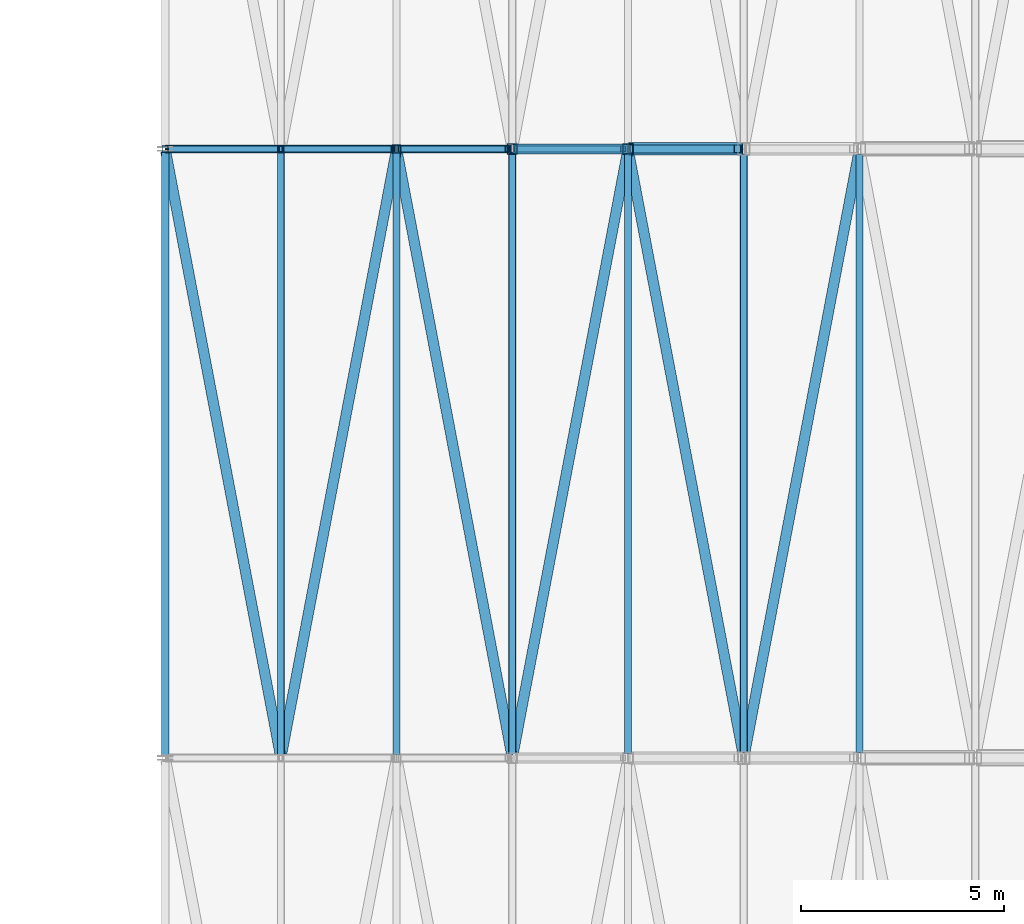
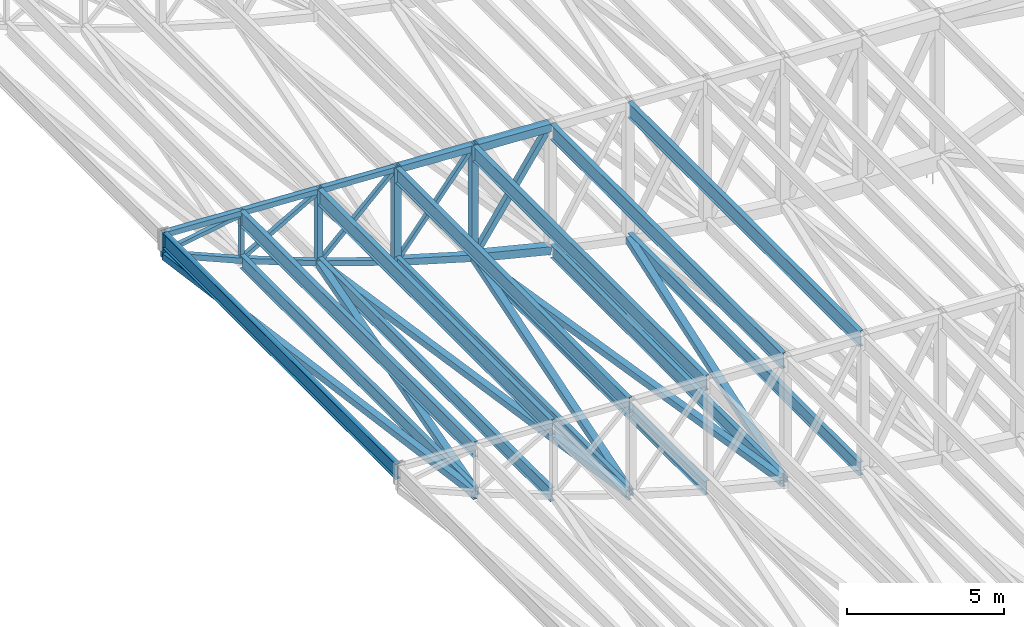
# One storey, part 94 of 278: 24 members, 15 beams.
"""IFC4 building model written with IfcOpenShell, lengths in metres."""

import ifcopenshell
import ifcopenshell.guid

model = None  # the IFC model being written
_history = None  # IfcOwnerHistory: only IFC2X3 demands one
_inside = {}  # id of a spatial element -> (the spatial element, [elements in it])
_under = {}  # id of a project, library or spatial element -> (it, [spatial elements below it])
_declared = {}  # id of a project -> (the project, [libraries it declares])
_typed = {}  # id of a type object -> (the type object, [elements of that type])
_made_of = {}  # id of a material, layer set ... -> (it, [elements and type objects made of it])


def new_model(schema):
    """Start an empty IFC model of exactly this schema.

    Asked for "IFC4X3", IfcOpenShell would pick the latest addendum, in which some entities
    have other attributes; the version numbers below select the first issue.
    IFC2X3 requires an IfcOwnerHistory on every rooted entity: one is made here for all.
    """
    global model, _history
    if schema == "IFC4X3":
        model = ifcopenshell.file(schema_version=(4, 3, 0, 0))
    else:
        model = ifcopenshell.file(schema=schema)
    _inside.clear()
    _under.clear()
    _declared.clear()
    _typed.clear()
    _made_of.clear()
    _history = None
    if model.schema == "IFC2X3":
        org = make("IfcOrganization", Name="unknown")
        user = make(
            "IfcPersonAndOrganization",
            ThePerson=make("IfcPerson", FamilyName="unknown"),
            TheOrganization=org,
        )
        app = make(
            "IfcApplication",
            ApplicationDeveloper=org,
            Version="unknown",
            ApplicationFullName="unknown",
            ApplicationIdentifier="unknown",
        )
        _history = make(
            "IfcOwnerHistory",
            OwningUser=user,
            OwningApplication=app,
            ChangeAction="ADDED",
            CreationDate=0,
        )
    return model


def make(cls, **values):
    """One entity of the class cls with the attributes given. An attribute that is None is left unset."""
    return model.create_entity(
        cls, **{name: value for name, value in values.items() if value is not None}
    )


def rooted(cls, **values):
    """An entity with a GlobalId (a new one), such as an element, a storey or a relation."""
    return make(cls, GlobalId=ifcopenshell.guid.new(), OwnerHistory=_history, **values)


def si_unit(unit_type, name, prefix=None):
    """IfcSIUnit, for example si_unit("LENGTHUNIT", "METRE", prefix="MILLI")."""
    return make("IfcSIUnit", UnitType=unit_type, Prefix=prefix, Name=name)


def assignment(units):
    """IfcUnitAssignment: the units of a project."""
    return None if units is None else make("IfcUnitAssignment", Units=units)


def point(xyz):
    """IfcCartesianPoint."""
    return None if xyz is None else make("IfcCartesianPoint", Coordinates=xyz)


def direction(xyz):
    """IfcDirection."""
    return None if xyz is None else make("IfcDirection", DirectionRatios=xyz)


def frame(location, z_axis=None, x_axis=None):
    """IfcAxis2Placement3D, a coordinate frame: its origin and axes. An axis left out is left unset."""
    return make(
        "IfcAxis2Placement3D",
        Location=point(location),
        Axis=direction(z_axis),
        RefDirection=direction(x_axis),
    )


def frame_2d(location, x_axis=None):
    """IfcAxis2Placement2D, a coordinate frame in the plane: its origin and x axis."""
    return make(
        "IfcAxis2Placement2D", Location=point(location), RefDirection=direction(x_axis)
    )


def origin():
    """The frame at (0, 0, 0) with its axes left unset."""
    return frame((0.0, 0.0, 0.0))


def origin_2d():
    """The frame at (0, 0) in the plane with its x axis left unset."""
    return frame_2d((0.0, 0.0))


def place(relative_to, where):
    """IfcLocalPlacement: puts the frame where relative to a parent placement (None: the world)."""
    return make(
        "IfcLocalPlacement", PlacementRelTo=relative_to, RelativePlacement=where
    )


def context(
    kind, dimensions, precision=None, world=None, true_north=None, identifier=None
):
    """IfcGeometricRepresentationContext, for example the 3D "Model" context."""
    return make(
        "IfcGeometricRepresentationContext",
        ContextIdentifier=identifier,
        ContextType=kind,
        CoordinateSpaceDimension=dimensions,
        Precision=precision,
        WorldCoordinateSystem=world,
        TrueNorth=true_north,
    )


def subcontext(parent, identifier, kind, view, scale=None):
    """IfcGeometricRepresentationSubContext, for example "Body" below "Model"."""
    return make(
        "IfcGeometricRepresentationSubContext",
        ContextIdentifier=identifier,
        ContextType=kind,
        ParentContext=parent,
        TargetScale=scale,
        TargetView=view,
    )


def project(units=None, contexts=None):
    """IfcProject with its units and contexts."""
    return rooted(
        "IfcProject",
        Name="project",
        RepresentationContexts=contexts,
        UnitsInContext=assignment(units),
    )


def spatial(cls, under=None, at=None, **own):
    """A site, building, storey or space (cls), placed at a placement, below another one or the project."""
    s = rooted(cls, ObjectPlacement=at, **own)
    if under is not None:
        _under.setdefault(under.id(), (under, []))[1].append(s)
    return s


def profile(cls, at=None, kind="AREA", **sizes):
    """A parametric profile (cls). Its sizes go by their IFC names, for example OverallWidth=200.0."""
    return make(cls, ProfileType=kind, Position=at, **sizes)


def hollow_rectangle(**sizes):
    """IfcRectangleHollowProfileDef."""
    return profile("IfcRectangleHollowProfileDef", **sizes)


def i_section(**sizes):
    """IfcIShapeProfileDef."""
    return profile("IfcIShapeProfileDef", **sizes)


def extrude(swept, where, along, depth):
    """IfcExtrudedAreaSolid: the profile swept, set in the frame where, extruded along a direction by depth."""
    return make(
        "IfcExtrudedAreaSolid",
        SweptArea=swept,
        Position=where,
        ExtrudedDirection=direction(along),
        Depth=depth,
    )


def shape(context_of_items, identifier, shape_type, items):
    """IfcShapeRepresentation: the items that make up one representation, for example the "Body"."""
    return make(
        "IfcShapeRepresentation",
        ContextOfItems=context_of_items,
        RepresentationIdentifier=identifier,
        RepresentationType=shape_type,
        Items=items,
    )


def material(Name=None, Category=None):
    """IfcMaterial."""
    return make("IfcMaterial", Name=Name, Category=Category)


def material_profile(
    of_material, cross_section, Name=None, Category=None, Priority=None
):
    """IfcMaterialProfile: a cross section and its material."""
    return make(
        "IfcMaterialProfile",
        Name=Name,
        Material=of_material,
        Profile=cross_section,
        Priority=Priority,
        Category=Category,
    )


def profile_set(profiles, Name=None, composite=None):
    """IfcMaterialProfileSet."""
    return make(
        "IfcMaterialProfileSet",
        Name=Name,
        MaterialProfiles=profiles,
        CompositeProfile=composite,
    )


def made_of(thing, what):
    """Note that an element or type object is made of a material, layer set ...; save() writes the relation."""
    if what is not None:
        _made_of.setdefault(what.id(), (what, []))[1].append(thing)
    return thing


def type_object(cls, material=None, **own):
    """A type object (cls), such as IfcWallType, which elements share."""
    return made_of(rooted(cls, **own), material)


def element(
    cls,
    number,
    at=None,
    inside=None,
    cuts=None,
    type_object=None,
    material=None,
    context=None,
    identifier="Body",
    shape_type=None,
    held_by="IfcProductDefinitionShape",
    body=None,
    shapes=None,
    **own,
):
    """One element of the class cls, such as IfcWall. Its Tag is "e" and its number.

    at: its placement. inside: the storey or other place that contains it. cuts: it is an
    opening in that element (IfcRelVoidsElement). A single representation is given by context,
    identifier, shape_type and body (its items); several are given by shapes. held_by: the class
    of the entity that holds the representations. save() writes the other relations.
    """
    e = rooted(cls, Tag="e%d" % number, ObjectPlacement=at, **own)
    if body is not None:
        shapes = [shape(context, identifier, shape_type, body)]
    if shapes is not None:
        e.Representation = make(held_by, Representations=shapes)
    if inside is not None:
        _inside.setdefault(inside.id(), (inside, []))[1].append(e)
    if cuts is not None:
        rooted(
            "IfcRelVoidsElement", RelatingBuildingElement=cuts, RelatedOpeningElement=e
        )
    if type_object is not None:
        _typed.setdefault(type_object.id(), (type_object, []))[1].append(e)
    return made_of(e, material)


def aggregate(whole, parts):
    """IfcRelAggregates: a whole, such as a stair, and the parts it consists of."""
    return rooted("IfcRelAggregates", RelatingObject=whole, RelatedObjects=parts)


def save(model, path):
    """Write the relations noted so far, then the file.

    IfcRelAggregates (storeys below a building ...), IfcRelContainedInSpatialStructure (elements
    in a storey), IfcRelDefinesByType, IfcRelAssociatesMaterial and IfcRelDeclares: one each for
    every whole, place, type object, material and project.
    """
    for whole, parts in _under.values():
        aggregate(whole, parts)
    for where, things in _inside.values():
        rooted(
            "IfcRelContainedInSpatialStructure",
            RelatedElements=things,
            RelatingStructure=where,
        )
    for kind, things in _typed.values():
        rooted("IfcRelDefinesByType", RelatedObjects=things, RelatingType=kind)
    for what, things in _made_of.values():
        rooted("IfcRelAssociatesMaterial", RelatedObjects=things, RelatingMaterial=what)
    for by, libraries in _declared.values():
        rooted("IfcRelDeclares", RelatingContext=by, RelatedDefinitions=libraries)
    model.write(path)


model = new_model("IFC4")

# Units and contexts
model_context = context("Model", 3, precision=1e-05, world=origin(), true_north=direction((0.0, 1.0)))
body_context = subcontext(model_context, "Body", "Model", "MODEL_VIEW")
ifc_project = project(units=[si_unit("LENGTHUNIT", "METRE"), si_unit("AREAUNIT", "SQUARE_METRE"), si_unit("VOLUMEUNIT", "CUBIC_METRE"), si_unit("PLANEANGLEUNIT", "RADIAN"), si_unit("MASSUNIT", "GRAM", prefix="KILO")], contexts=[model_context])

# Site, building, storey
site_placement = place(None, origin())
site = spatial("IfcSite", under=ifc_project, at=site_placement, CompositionType="ELEMENT")
building_placement = place(site_placement, origin())
building = spatial("IfcBuilding", under=site, at=building_placement, Name="Ogive Plaza Stadium", CompositionType="ELEMENT")
storey_placement = place(building_placement, frame((0.0, 0.0, 29.0)))
storey = spatial("IfcBuildingStorey", under=building, at=storey_placement, Name="Roof", CompositionType="ELEMENT", Elevation=29.0)

# Members
ifc_material_1 = material(Name="Steel ASTM A500 Grade C", Category="steel")
ifc_material_profile_1 = material_profile(ifc_material_1, hollow_rectangle(XDim=0.25390625, YDim=0.25390625, WallThickness=0.0087890625, at=origin_2d()), Name="HSS10X10X3/8")
ifc_profile_set_1 = profile_set([ifc_material_profile_1], Name="Steel ASTM A500 Grade C")
member_type_1 = type_object("IfcMemberType", Name="Roof plan brace HSS10X10X3/8", PredefinedType="BRACE", material=ifc_profile_set_1)
member_1_placement = place(storey_placement, frame((45.513427734375, 37.4296875, 6.520751953125), z_axis=(0.1860644689, -0.979300227871, -0.079693645318), x_axis=(0.982424925297, 0.186658153196, 0.0)))
element("IfcMember", 1, at=member_1_placement, inside=storey, type_object=member_type_1, Name="ROOF BRACE B02 1", PredefinedType="BRACE", context=body_context, shape_type="SweptSolid", body=[
    extrude(hollow_rectangle(XDim=0.25390625, YDim=0.25390625, WallThickness=0.0087890625, at=origin_2d()), origin(), (0.0, 0.0, 1.0), 15.173583984375),
])
member_2_placement = place(storey_placement, frame((48.36328125, 22.5703125, 5.30078125), z_axis=(0.18619699352, 0.979917118172, -0.071366106221), x_axis=(-0.982422109195, 0.186672974385, 0.0)))
element("IfcMember", 2, at=member_2_placement, inside=storey, type_object=member_type_1, Name="ROOF BRACE B02 2", PredefinedType="BRACE", context=body_context, shape_type="SweptSolid", body=[
    extrude(hollow_rectangle(XDim=0.25390625, YDim=0.25390625, WallThickness=0.0087890625, at=origin_2d()), origin(), (0.0, 0.0, 1.0), 15.1376953125),
])
member_3_placement = place(storey_placement, frame((51.21826171875, 37.404052734375, 4.20751953125), z_axis=(0.186305134019, -0.980575459807, -0.061336487198), x_axis=(0.982425223956, 0.186656581279, 0.0)))
element("IfcMember", 3, at=member_3_placement, inside=storey, type_object=member_type_1, Name="ROOF BRACE B02 3", PredefinedType="BRACE", context=body_context, shape_type="SweptSolid", body=[
    extrude(hollow_rectangle(XDim=0.25390625, YDim=0.25390625, WallThickness=0.0087890625, at=origin_2d()), origin(), (0.0, 0.0, 1.0), 15.1015625),
])
member_4_placement = place(storey_placement, frame((54.068115234375, 22.595947265625, 3.27001953125), z_axis=(0.186406461707, 0.981044003163, -0.052965034622), x_axis=(-0.982422964001, 0.186668475654, 0.0)))
element("IfcMember", 4, at=member_4_placement, inside=storey, type_object=member_type_1, Name="ROOF BRACE B02 4", PredefinedType="BRACE", context=body_context, shape_type="SweptSolid", body=[
    extrude(hollow_rectangle(XDim=0.25390625, YDim=0.25390625, WallThickness=0.0087890625, at=origin_2d()), origin(), (0.0, 0.0, 1.0), 15.068359375),
])
member_5_placement = place(storey_placement, frame((56.923095703125, 37.378662109375, 2.459716796875), z_axis=(0.186461324063, -0.981373677857, -0.046237204039), x_axis=(0.982424391989, 0.186660960097, 0.0)))
element("IfcMember", 5, at=member_5_placement, inside=storey, type_object=member_type_1, Name="ROOF BRACE B02 5", PredefinedType="BRACE", context=body_context, shape_type="SweptSolid", body=[
    extrude(hollow_rectangle(XDim=0.25390625, YDim=0.25390625, WallThickness=0.0087890625, at=origin_2d()), origin(), (0.0, 0.0, 1.0), 15.011474609375),
])
member_6_placement = place(storey_placement, frame((59.77783203125, 22.646728515625, 1.753173828125), z_axis=(0.186534960176, 0.981781820104, -0.036182403809), x_axis=(-0.982425109661, 0.186657182843, 0.0)))
element("IfcMember", 6, at=member_6_placement, inside=storey, type_object=member_type_1, Name="ROOF BRACE B02 6", PredefinedType="BRACE", context=body_context, shape_type="SweptSolid", body=[
    extrude(hollow_rectangle(XDim=0.25390625, YDim=0.25390625, WallThickness=0.0087890625, at=origin_2d()), origin(), (0.0, 0.0, 1.0), 14.9794921875),
])
ifc_material_2 = material(Name="Steel ASTM A992 Grade 50", Category="steel")
ifc_material_profile_2 = material_profile(ifc_material_2, i_section(OverallWidth=0.1650390625, OverallDepth=0.524658203125, WebThickness=0.0087890625, FlangeThickness=0.011474609375, at=origin_2d()), Name="W21X44")
ifc_profile_set_2 = profile_set([ifc_material_profile_2], Name="Steel ASTM A992 Grade 50")
member_type_2 = type_object("IfcMemberType", Name="Roof plan strut W21X44", PredefinedType="STRUT", material=ifc_profile_set_2)
member_7_placement = place(storey_placement, frame((48.35009765625, 37.453857421875, 5.305908203125), z_axis=(0.0, -1.0, 0.0), x_axis=(1.0, 0.0, 0.0)))
element("IfcMember", 7, at=member_7_placement, inside=storey, type_object=member_type_2, Name="ROOF STRUT B02 1", PredefinedType="STRUT", context=body_context, shape_type="SweptSolid", body=[
    extrude(i_section(OverallWidth=0.1650390625, OverallDepth=0.524658203125, WebThickness=0.0087890625, FlangeThickness=0.011474609375, at=origin_2d()), origin(), (0.0, 0.0, 1.0), 14.90771484375),
])
for number, where, z_axis, x_axis, name in (
    (8, (51.199951171875, 37.428466796875, 4.213623046875), (0.0, -1.0, 0.0), (1.0, 0.0, 0.0), "ROOF STRUT B02 2"),
    (9, (54.050048828125, 37.428466796875, 3.275146484375), (0.0, -1.0, 0.0), (1.0, 0.0, 0.0), "ROOF STRUT B02 3"),
):
    element("IfcMember", number, at=place(storey_placement, frame(where, z_axis=z_axis, x_axis=x_axis)), inside=storey, type_object=member_type_2, Name=name, PredefinedType="STRUT", context=body_context, shape_type="SweptSolid", body=[
        extrude(i_section(OverallWidth=0.1650390625, OverallDepth=0.524658203125, WebThickness=0.0087890625, FlangeThickness=0.011474609375, at=origin_2d()), origin(), (0.0, 0.0, 1.0), 14.85693359375),
    ])
member_8_placement = place(storey_placement, frame((56.89990234375, 37.403076171875, 2.46533203125), z_axis=(0.0, -1.0, 0.0), x_axis=(1.0, 0.0, 0.0)))
element("IfcMember", 10, at=member_8_placement, inside=storey, type_object=member_type_2, Name="ROOF STRUT B02 4", PredefinedType="STRUT", context=body_context, shape_type="SweptSolid", body=[
    extrude(i_section(OverallWidth=0.1650390625, OverallDepth=0.524658203125, WebThickness=0.0087890625, FlangeThickness=0.011474609375, at=origin_2d()), origin(), (0.0, 0.0, 1.0), 14.80615234375),
])
for number, where, z_axis, x_axis, name in (
    (11, (59.75, 37.377685546875, 1.758544921875), (0.0, -1.0, 0.0), (1.0, 0.0, 0.0), "ROOF STRUT B02 5"),
    (12, (62.60009765625, 37.377685546875, 1.205810546875), (0.0, -1.0, 0.0), (1.0, 0.0, 0.0), "ROOF STRUT B02 6"),
):
    element("IfcMember", number, at=place(storey_placement, frame(where, z_axis=z_axis, x_axis=x_axis)), inside=storey, type_object=member_type_2, Name=name, PredefinedType="STRUT", context=body_context, shape_type="SweptSolid", body=[
        extrude(i_section(OverallWidth=0.1650390625, OverallDepth=0.524658203125, WebThickness=0.0087890625, FlangeThickness=0.011474609375, at=origin_2d()), origin(), (0.0, 0.0, 1.0), 14.75537109375),
    ])
ifc_material_3 = material(Name="Steel ASTM A992 Grade 50", Category="steel")
ifc_material_profile_3 = material_profile(ifc_material_3, i_section(OverallWidth=0.177978515625, OverallDepth=0.5986328125, WebThickness=0.010009765625, FlangeThickness=0.012939453125, at=origin_2d()), Name="W24X55")
ifc_profile_set_3 = profile_set([ifc_material_profile_3], Name="Steel ASTM A992 Grade 50")
member_type_3 = type_object("IfcMemberType", Name="Roof purlin W24X55", PredefinedType="PURLIN", material=ifc_profile_set_3)
member_9_placement = place(storey_placement, frame((48.35009765625, 37.453857421875, 6.983154296875), z_axis=(0.0, -1.0, 0.0), x_axis=(1.0, 0.0, 0.0)))
element("IfcMember", 13, at=member_9_placement, inside=storey, type_object=member_type_3, Name="ROOF PURLIN B02 1", PredefinedType="PURLIN", context=body_context, shape_type="SweptSolid", body=[
    extrude(i_section(OverallWidth=0.177978515625, OverallDepth=0.5986328125, WebThickness=0.010009765625, FlangeThickness=0.012939453125, at=origin_2d()), origin(), (0.0, 0.0, 1.0), 14.90771484375),
])
for number, where, z_axis, x_axis, name in (
    (14, (51.199951171875, 37.428466796875, 6.840576171875), (0.0, -1.0, 0.0), (1.0, 0.0, 0.0), "ROOF PURLIN B02 2"),
    (15, (54.050048828125, 37.428466796875, 6.6982421875), (0.0, -1.0, 0.0), (1.0, 0.0, 0.0), "ROOF PURLIN B02 3"),
):
    element("IfcMember", number, at=place(storey_placement, frame(where, z_axis=z_axis, x_axis=x_axis)), inside=storey, type_object=member_type_3, Name=name, PredefinedType="PURLIN", context=body_context, shape_type="SweptSolid", body=[
        extrude(i_section(OverallWidth=0.177978515625, OverallDepth=0.5986328125, WebThickness=0.010009765625, FlangeThickness=0.012939453125, at=origin_2d()), origin(), (0.0, 0.0, 1.0), 14.85693359375),
    ])
member_10_placement = place(storey_placement, frame((56.89990234375, 37.403076171875, 6.5556640625), z_axis=(0.0, -1.0, 0.0), x_axis=(1.0, 0.0, 0.0)))
element("IfcMember", 16, at=member_10_placement, inside=storey, type_object=member_type_3, Name="ROOF PURLIN B02 4", PredefinedType="PURLIN", context=body_context, shape_type="SweptSolid", body=[
    extrude(i_section(OverallWidth=0.177978515625, OverallDepth=0.5986328125, WebThickness=0.010009765625, FlangeThickness=0.012939453125, at=origin_2d()), origin(), (0.0, 0.0, 1.0), 14.80615234375),
])
for number, where, z_axis, x_axis, name in (
    (17, (59.75, 37.377685546875, 6.4130859375), (0.0, -1.0, 0.0), (1.0, 0.0, 0.0), "ROOF PURLIN B02 5"),
    (18, (62.60009765625, 37.377685546875, 6.270751953125), (0.0, -1.0, 0.0), (1.0, 0.0, 0.0), "ROOF PURLIN B02 6"),
):
    element("IfcMember", number, at=place(storey_placement, frame(where, z_axis=z_axis, x_axis=x_axis)), inside=storey, type_object=member_type_3, Name=name, PredefinedType="PURLIN", context=body_context, shape_type="SweptSolid", body=[
        extrude(i_section(OverallWidth=0.177978515625, OverallDepth=0.5986328125, WebThickness=0.010009765625, FlangeThickness=0.012939453125, at=origin_2d()), origin(), (0.0, 0.0, 1.0), 14.75537109375),
    ])
ifc_material_4 = material(Name="Steel ASTM A992 Grade 50", Category="steel")
ifc_material_profile_4 = material_profile(ifc_material_4, i_section(OverallWidth=0.177978515625, OverallDepth=0.5986328125, WebThickness=0.010009765625, FlangeThickness=0.012939453125, at=origin_2d()), Name="W24X55")
ifc_profile_set_4 = profile_set([ifc_material_profile_4], Name="Steel ASTM A992 Grade 50")
member_type_4 = type_object("IfcMemberType", Name="Roof tip ring beam W24X55", PredefinedType="MEMBER", material=ifc_profile_set_4)
member_11_placement = place(storey_placement, frame((45.5, 37.453857421875, 7.125732421875), z_axis=(0.0, -1.0, 0.0), x_axis=(1.0, 0.0, 0.0)))
element("IfcMember", 19, at=member_11_placement, inside=storey, type_object=member_type_4, Name="RING BEAM B02", PredefinedType="MEMBER", context=body_context, shape_type="SweptSolid", body=[
    extrude(i_section(OverallWidth=0.177978515625, OverallDepth=0.5986328125, WebThickness=0.010009765625, FlangeThickness=0.012939453125, at=origin_2d()), origin(), (0.0, 0.0, 1.0), 14.90771484375),
])

# Beams
ifc_material_5 = material(Name="Steel ASTM A500 Grade C", Category="steel")
ifc_material_profile_5 = material_profile(ifc_material_5, hollow_rectangle(XDim=0.25390625, YDim=0.25390625, WallThickness=0.01171875, at=origin_2d()), Name="HSS10X10X1/2")
ifc_profile_set_5 = profile_set([ifc_material_profile_5], Name="Steel ASTM A500 Grade C")
beam_type_1 = type_object("IfcBeamType", Name="Roof truss bottom chord HSS10X10X1/2", PredefinedType="BEAM", material=ifc_profile_set_5)
beam_1_placement = place(storey_placement, frame((54.10009765625, 37.5, 3.265869140625), z_axis=(0.959640437259, 0.0, -0.281229854705), x_axis=(0.0, 1.0, 0.0)))
element("IfcBeam", 20, at=beam_1_placement, inside=storey, type_object=beam_type_1, Name="ROOF TRUSS T02 BOTTOM CHORD 4", PredefinedType="BEAM", context=body_context, shape_type="SweptSolid", body=[
    extrude(hollow_rectangle(XDim=0.25390625, YDim=0.25390625, WallThickness=0.01171875, at=origin_2d()), origin(), (0.0, 0.0, 1.0), 2.86572265625),
])
ifc_material_6 = material(Name="Steel ASTM A500 Grade C", Category="steel")
ifc_material_profile_6 = material_profile(ifc_material_6, hollow_rectangle(XDim=0.3046875, YDim=0.3046875, WallThickness=0.0146484375, at=origin_2d()), Name="HSS12X12X5/8")
ifc_profile_set_6 = profile_set([ifc_material_profile_6], Name="Steel ASTM A500 Grade C")
beam_type_2 = type_object("IfcBeamType", Name="Roof truss bottom chord HSS12X12X5/8", PredefinedType="BEAM", material=ifc_profile_set_6)
beam_2_placement = place(storey_placement, frame((56.949951171875, 37.5, 2.45751953125), z_axis=(0.970607032995, 0.0, -0.240669872439), x_axis=(0.0, 1.0, 0.0)))
element("IfcBeam", 21, at=beam_2_placement, inside=storey, type_object=beam_type_2, Name="ROOF TRUSS T02 BOTTOM CHORD 5", PredefinedType="BEAM", context=body_context, shape_type="SweptSolid", body=[
    extrude(hollow_rectangle(XDim=0.3046875, YDim=0.3046875, WallThickness=0.0146484375, at=origin_2d()), origin(), (0.0, 0.0, 1.0), 2.833251953125),
])
ifc_material_7 = material(Name="Steel ASTM A500 Grade C", Category="steel")
ifc_material_profile_7 = material_profile(ifc_material_7, hollow_rectangle(XDim=0.203125, YDim=0.203125, WallThickness=0.01171875, at=origin_2d()), Name="HSS8X8X1/2")
ifc_profile_set_7 = profile_set([ifc_material_profile_7], Name="Steel ASTM A500 Grade C")
beam_type_3 = type_object("IfcBeamType", Name="Roof truss bottom chord HSS8X8X1/2", PredefinedType="BEAM", material=ifc_profile_set_7)
beam_3_placement = place(storey_placement, frame((45.5400390625, 37.5, 6.518310546875), z_axis=(0.919215459426, 0.0, -0.393754922702), x_axis=(0.0, 1.0, 0.0)))
element("IfcBeam", 22, at=beam_3_placement, inside=storey, type_object=beam_type_3, Name="ROOF TRUSS T02 BOTTOM CHORD 1", PredefinedType="BEAM", context=body_context, shape_type="SweptSolid", body=[
    extrude(hollow_rectangle(XDim=0.203125, YDim=0.203125, WallThickness=0.01171875, at=origin_2d()), origin(), (0.0, 0.0, 1.0), 3.04736328125),
])
beam_4_placement = place(storey_placement, frame((48.386474609375, 37.5, 5.299072265625), z_axis=(0.933780874892, 0.0, -0.357845326484), x_axis=(0.0, 1.0, 0.0)))
element("IfcBeam", 23, at=beam_4_placement, inside=storey, type_object=beam_type_3, Name="ROOF TRUSS T02 BOTTOM CHORD 2", PredefinedType="BEAM", context=body_context, shape_type="SweptSolid", body=[
    extrude(hollow_rectangle(XDim=0.203125, YDim=0.203125, WallThickness=0.01171875, at=origin_2d()), origin(), (0.0, 0.0, 1.0), 2.97314453125),
])
beam_5_placement = place(storey_placement, frame((51.24072265625, 37.5, 4.20556640625), z_axis=(0.947299736415, 0.0, -0.320348574817), x_axis=(0.0, 1.0, 0.0)))
element("IfcBeam", 24, at=beam_5_placement, inside=storey, type_object=beam_type_3, Name="ROOF TRUSS T02 BOTTOM CHORD 3", PredefinedType="BEAM", context=body_context, shape_type="SweptSolid", body=[
    extrude(hollow_rectangle(XDim=0.203125, YDim=0.203125, WallThickness=0.01171875, at=origin_2d()), origin(), (0.0, 0.0, 1.0), 2.912841796875),
])

# Members
ifc_material_8 = material(Name="Steel ASTM A500 Grade C", Category="steel")
ifc_material_profile_8 = material_profile(ifc_material_8, hollow_rectangle(XDim=0.15234375, YDim=0.15234375, WallThickness=0.005859375, at=origin_2d()), Name="HSS6X6X1/4")
ifc_profile_set_8 = profile_set([ifc_material_profile_8], Name="Steel ASTM A500 Grade C")
member_type_5 = type_object("IfcMemberType", Name="Roof truss diagonal HSS6X6X1/4", PredefinedType="BRACE", material=ifc_profile_set_8)
member_12_placement = place(storey_placement, frame((45.576171875, 37.5, 6.628173828125), z_axis=(0.986299671123, 0.0, 0.164963507307), x_axis=(0.0, 1.0, 0.0)))
element("IfcMember", 25, at=member_12_placement, inside=storey, type_object=member_type_5, Name="ROOF TRUSS T02 DIAGONAL 1", PredefinedType="BRACE", context=body_context, shape_type="SweptSolid", body=[
    extrude(hollow_rectangle(XDim=0.15234375, YDim=0.15234375, WallThickness=0.005859375, at=origin_2d()), origin(), (0.0, 0.0, 1.0), 2.73486328125),
])
member_13_placement = place(storey_placement, frame((48.42626953125, 37.5, 5.407470703125), z_axis=(0.8679111184, 0.0, 0.496719529069), x_axis=(0.0, 1.0, 0.0)))
element("IfcMember", 26, at=member_13_placement, inside=storey, type_object=member_type_5, Name="ROOF TRUSS T02 DIAGONAL 2", PredefinedType="BRACE", context=body_context, shape_type="SweptSolid", body=[
    extrude(hollow_rectangle(XDim=0.15234375, YDim=0.15234375, WallThickness=0.005859375, at=origin_2d()), origin(), (0.0, 0.0, 1.0), 3.078857421875),
])
ifc_material_9 = material(Name="Steel ASTM A500 Grade C", Category="steel")
ifc_material_profile_9 = material_profile(ifc_material_9, hollow_rectangle(XDim=0.15234375, YDim=0.15234375, WallThickness=0.0087890625, at=origin_2d()), Name="HSS6X6X3/8")
ifc_profile_set_9 = profile_set([ifc_material_profile_9], Name="Steel ASTM A500 Grade C")
member_type_6 = type_object("IfcMemberType", Name="Roof truss diagonal HSS6X6X3/8", PredefinedType="BRACE", material=ifc_profile_set_9)
member_14_placement = place(storey_placement, frame((51.301513671875, 37.5, 4.315185546875), z_axis=(0.726588919749, 0.0, 0.687072442832), x_axis=(0.0, 1.0, 0.0)))
element("IfcMember", 27, at=member_14_placement, inside=storey, type_object=member_type_6, Name="ROOF TRUSS T02 DIAGONAL 3", PredefinedType="BRACE", context=body_context, shape_type="SweptSolid", body=[
    extrude(hollow_rectangle(XDim=0.15234375, YDim=0.15234375, WallThickness=0.0087890625, at=origin_2d()), origin(), (0.0, 0.0, 1.0), 3.608154296875),
])
member_15_placement = place(storey_placement, frame((54.177001953125, 37.5, 3.40234375), z_axis=(0.630150764463, 0.0, 0.77647280316), x_axis=(0.0, 1.0, 0.0)))
element("IfcMember", 28, at=member_15_placement, inside=storey, type_object=member_type_6, Name="ROOF TRUSS T02 DIAGONAL 4", PredefinedType="BRACE", context=body_context, shape_type="SweptSolid", body=[
    extrude(hollow_rectangle(XDim=0.15234375, YDim=0.15234375, WallThickness=0.0087890625, at=origin_2d()), origin(), (0.0, 0.0, 1.0), 4.11962890625),
])
ifc_material_10 = material(Name="Steel ASTM A500 Grade C", Category="steel")
ifc_material_profile_10 = material_profile(ifc_material_10, hollow_rectangle(XDim=0.203125, YDim=0.203125, WallThickness=0.0087890625, at=origin_2d()), Name="HSS8X8X3/8")
ifc_profile_set_10 = profile_set([ifc_material_profile_10], Name="Steel ASTM A500 Grade C")
member_type_7 = type_object("IfcMemberType", Name="Roof truss diagonal HSS8X8X3/8", PredefinedType="BRACE", material=ifc_profile_set_10)
member_16_placement = place(storey_placement, frame((57.027099609375, 37.5, 2.617919921875), z_axis=(0.561338440243, 0.0, 0.827586343233), x_axis=(0.0, 1.0, 0.0)))
element("IfcMember", 29, at=member_16_placement, inside=storey, type_object=member_type_7, Name="ROOF TRUSS T02 DIAGONAL 5", PredefinedType="BRACE", context=body_context, shape_type="SweptSolid", body=[
    extrude(hollow_rectangle(XDim=0.203125, YDim=0.203125, WallThickness=0.0087890625, at=origin_2d()), origin(), (0.0, 0.0, 1.0), 4.579345703125),
])

# Beams
ifc_material_11 = material(Name="Steel ASTM A500 Grade C", Category="steel")
ifc_material_profile_11 = material_profile(ifc_material_11, hollow_rectangle(XDim=0.25390625, YDim=0.25390625, WallThickness=0.01171875, at=origin_2d()), Name="HSS10X10X1/2")
ifc_profile_set_11 = profile_set([ifc_material_profile_11], Name="Steel ASTM A500 Grade C")
beam_type_4 = type_object("IfcBeamType", Name="Roof truss post HSS10X10X1/2", PredefinedType="BEAM", material=ifc_profile_set_11)
beam_6_placement = place(storey_placement, frame((54.050048828125, 37.5, 3.148193359375), z_axis=(0.0, 0.0, 1.0), x_axis=(0.0, 1.0, 0.0)))
element("IfcBeam", 30, at=beam_6_placement, inside=storey, type_object=beam_type_4, Name="ROOF TRUSS T02 POST 4", PredefinedType="BEAM", context=body_context, shape_type="SweptSolid", body=[
    extrude(hollow_rectangle(XDim=0.25390625, YDim=0.25390625, WallThickness=0.01171875, at=origin_2d()), origin(), (0.0, 0.0, 1.0), 3.849365234375),
])
beam_7_placement = place(storey_placement, frame((56.89990234375, 37.5, 2.31298828125), z_axis=(0.0, 0.0, 1.0), x_axis=(0.0, 1.0, 0.0)))
element("IfcBeam", 31, at=beam_7_placement, inside=storey, type_object=beam_type_4, Name="ROOF TRUSS T02 POST 5", PredefinedType="BEAM", context=body_context, shape_type="SweptSolid", body=[
    extrude(hollow_rectangle(XDim=0.25390625, YDim=0.25390625, WallThickness=0.01171875, at=origin_2d()), origin(), (0.0, 0.0, 1.0), 4.5419921875),
])
ifc_material_12 = material(Name="Steel ASTM A500 Grade C", Category="steel")
ifc_material_profile_12 = material_profile(ifc_material_12, hollow_rectangle(XDim=0.15234375, YDim=0.15234375, WallThickness=0.0087890625, at=origin_2d()), Name="HSS6X6X3/8")
ifc_profile_set_12 = profile_set([ifc_material_profile_12], Name="Steel ASTM A500 Grade C")
beam_type_5 = type_object("IfcBeamType", Name="Roof truss post HSS6X6X3/8", PredefinedType="BEAM", material=ifc_profile_set_12)
beam_8_placement = place(storey_placement, frame((45.5, 37.5, 6.425048828125), z_axis=(0.0, 0.0, 1.0), x_axis=(0.0, 1.0, 0.0)))
element("IfcBeam", 32, at=beam_8_placement, inside=storey, type_object=beam_type_5, Name="ROOF TRUSS T02 POST 1", PredefinedType="BEAM", context=body_context, shape_type="SweptSolid", body=[
    extrude(hollow_rectangle(XDim=0.15234375, YDim=0.15234375, WallThickness=0.0087890625, at=origin_2d()), origin(), (0.0, 0.0, 1.0), 1.0),
])
beam_9_placement = place(storey_placement, frame((48.35009765625, 37.5, 5.204345703125), z_axis=(0.0, 0.0, 1.0), x_axis=(0.0, 1.0, 0.0)))
element("IfcBeam", 33, at=beam_9_placement, inside=storey, type_object=beam_type_5, Name="ROOF TRUSS T02 POST 2", PredefinedType="BEAM", context=body_context, shape_type="SweptSolid", body=[
    extrude(hollow_rectangle(XDim=0.15234375, YDim=0.15234375, WallThickness=0.0087890625, at=origin_2d()), origin(), (0.0, 0.0, 1.0), 2.078125),
])
ifc_material_13 = material(Name="Steel ASTM A500 Grade C", Category="steel")
ifc_material_profile_13 = material_profile(ifc_material_13, hollow_rectangle(XDim=0.203125, YDim=0.203125, WallThickness=0.0087890625, at=origin_2d()), Name="HSS8X8X3/8")
ifc_profile_set_13 = profile_set([ifc_material_profile_13], Name="Steel ASTM A500 Grade C")
beam_type_6 = type_object("IfcBeamType", Name="Roof truss post HSS8X8X3/8", PredefinedType="BEAM", material=ifc_profile_set_13)
beam_10_placement = place(storey_placement, frame((51.199951171875, 37.5, 4.112060546875), z_axis=(0.0, 0.0, 1.0), x_axis=(0.0, 1.0, 0.0)))
element("IfcBeam", 34, at=beam_10_placement, inside=storey, type_object=beam_type_6, Name="ROOF TRUSS T02 POST 3", PredefinedType="BEAM", context=body_context, shape_type="SweptSolid", body=[
    extrude(hollow_rectangle(XDim=0.203125, YDim=0.203125, WallThickness=0.0087890625, at=origin_2d()), origin(), (0.0, 0.0, 1.0), 3.02783203125),
])
ifc_material_14 = material(Name="Steel ASTM A500 Grade C", Category="steel")
ifc_material_profile_14 = material_profile(ifc_material_14, hollow_rectangle(XDim=0.25390625, YDim=0.25390625, WallThickness=0.0087890625, at=origin_2d()), Name="HSS10X10X3/8")
ifc_profile_set_14 = profile_set([ifc_material_profile_14], Name="Steel ASTM A500 Grade C")
beam_type_7 = type_object("IfcBeamType", Name="Roof truss top chord HSS10X10X3/8", PredefinedType="BEAM", material=ifc_profile_set_14)
beam_11_placement = place(storey_placement, frame((54.10009765625, 37.5, 6.867919921875), z_axis=(0.998748798523, 0.0, -0.05000837379), x_axis=(0.0, 1.0, 0.0)))
element("IfcBeam", 35, at=beam_11_placement, inside=storey, type_object=beam_type_7, Name="ROOF TRUSS T02 TOP CHORD 4", PredefinedType="BEAM", context=body_context, shape_type="SweptSolid", body=[
    extrude(hollow_rectangle(XDim=0.25390625, YDim=0.25390625, WallThickness=0.0087890625, at=origin_2d()), origin(), (0.0, 0.0, 1.0), 2.75341796875),
])
ifc_material_15 = material(Name="Steel ASTM A500 Grade C", Category="steel")
ifc_material_profile_15 = material_profile(ifc_material_15, hollow_rectangle(XDim=0.3046875, YDim=0.3046875, WallThickness=0.0087890625, at=origin_2d()), Name="HSS12X12X3/8")
ifc_profile_set_15 = profile_set([ifc_material_profile_15], Name="Steel ASTM A500 Grade C")
beam_type_8 = type_object("IfcBeamType", Name="Roof truss top chord HSS12X12X3/8", PredefinedType="BEAM", material=ifc_profile_set_15)
beam_12_placement = place(storey_placement, frame((56.949951171875, 37.5, 6.699951171875), z_axis=(0.998753223187, 0.0, -0.049919927615), x_axis=(0.0, 1.0, 0.0)))
element("IfcBeam", 36, at=beam_12_placement, inside=storey, type_object=beam_type_8, Name="ROOF TRUSS T02 TOP CHORD 5", PredefinedType="BEAM", context=body_context, shape_type="SweptSolid", body=[
    extrude(hollow_rectangle(XDim=0.3046875, YDim=0.3046875, WallThickness=0.0087890625, at=origin_2d()), origin(), (0.0, 0.0, 1.0), 2.75341796875),
])
ifc_material_16 = material(Name="Steel ASTM A500 Grade C", Category="steel")
ifc_material_profile_16 = material_profile(ifc_material_16, hollow_rectangle(XDim=0.203125, YDim=0.203125, WallThickness=0.0087890625, at=origin_2d()), Name="HSS8X8X3/8")
ifc_profile_set_16 = profile_set([ifc_material_profile_16], Name="Steel ASTM A500 Grade C")
beam_type_9 = type_object("IfcBeamType", Name="Roof truss top chord HSS8X8X3/8", PredefinedType="BEAM", material=ifc_profile_set_16)
beam_13_placement = place(storey_placement, frame((45.541259765625, 37.5, 7.3212890625), z_axis=(0.998751459876, 0.0, -0.049955193873), x_axis=(0.0, 1.0, 0.0)))
element("IfcBeam", 37, at=beam_13_placement, inside=storey, type_object=beam_type_9, Name="ROOF TRUSS T02 TOP CHORD 1", PredefinedType="BEAM", context=body_context, shape_type="SweptSolid", body=[
    extrude(hollow_rectangle(XDim=0.203125, YDim=0.203125, WallThickness=0.0087890625, at=origin_2d()), origin(), (0.0, 0.0, 1.0), 2.77099609375),
])
beam_14_placement = place(storey_placement, frame((48.39111328125, 37.5, 7.1787109375), z_axis=(0.998752338878, 0.0, -0.049937616944), x_axis=(0.0, 1.0, 0.0)))
element("IfcBeam", 38, at=beam_14_placement, inside=storey, type_object=beam_type_9, Name="ROOF TRUSS T02 TOP CHORD 2", PredefinedType="BEAM", context=body_context, shape_type="SweptSolid", body=[
    extrude(hollow_rectangle(XDim=0.203125, YDim=0.203125, WallThickness=0.0087890625, at=origin_2d()), origin(), (0.0, 0.0, 1.0), 2.76220703125),
])
beam_15_placement = place(storey_placement, frame((51.25, 37.5, 7.035888671875), z_axis=(0.998748798523, 0.0, -0.05000837379), x_axis=(0.0, 1.0, 0.0)))
element("IfcBeam", 39, at=beam_15_placement, inside=storey, type_object=beam_type_9, Name="ROOF TRUSS T02 TOP CHORD 3", PredefinedType="BEAM", context=body_context, shape_type="SweptSolid", body=[
    extrude(hollow_rectangle(XDim=0.203125, YDim=0.203125, WallThickness=0.0087890625, at=origin_2d()), origin(), (0.0, 0.0, 1.0), 2.75341796875),
])

save(model, "model.ifc")
